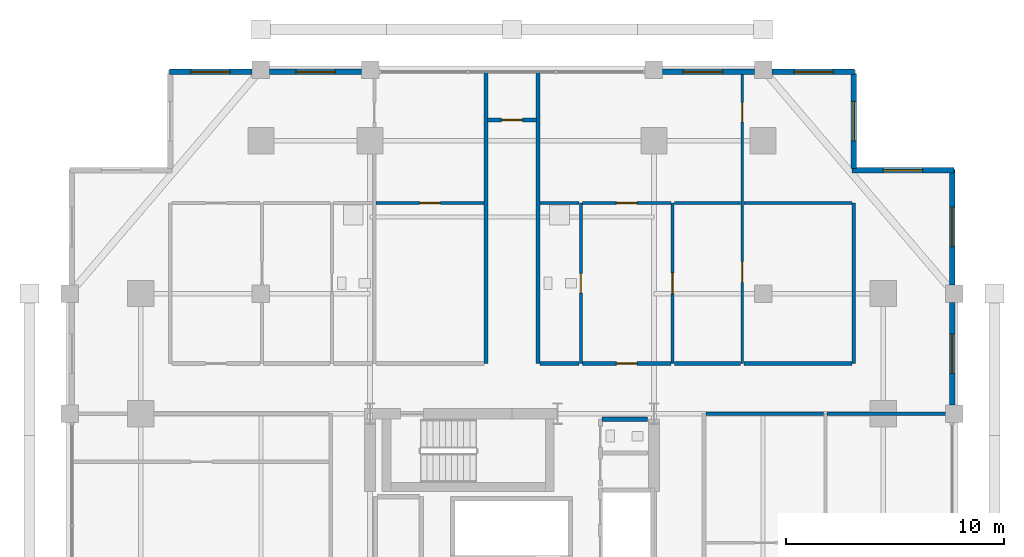
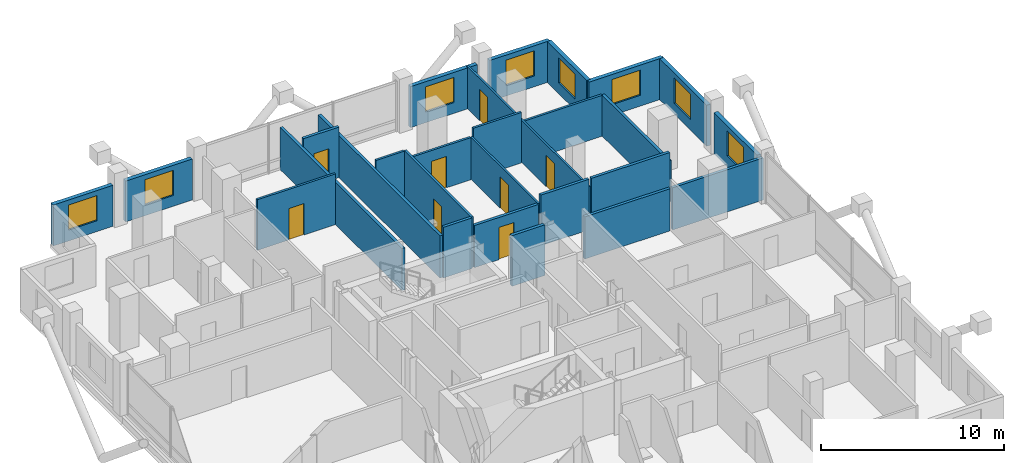
# One storey, part 20 of 23: 27 walls, 8 doors, 8 windows, 16 openings.
"""IFC4 building model written with IfcOpenShell, lengths in metres."""

from ifc_helpers import new_model, si_unit, direction, frame, frame_2d, origin, place, context, subcontext, project, spatial, rectangle, extrude, material, layer, layer_set, type_object, element, fill, save


model = new_model("IFC4")

# Units and contexts
model_context = context("Model", 3, precision=1e-05, world=origin(), true_north=direction((0.0, 1.0)))
body_context = subcontext(model_context, "Body", "Model", "MODEL_VIEW")
ifc_project = project(units=[si_unit("LENGTHUNIT", "METRE"), si_unit("AREAUNIT", "SQUARE_METRE"), si_unit("VOLUMEUNIT", "CUBIC_METRE"), si_unit("PLANEANGLEUNIT", "RADIAN"), si_unit("MASSUNIT", "GRAM", prefix="KILO")], contexts=[model_context])

# Site, building, storey
site_placement = place(None, origin())
site = spatial("IfcSite", under=ifc_project, at=site_placement, CompositionType="ELEMENT")
building_placement = place(site_placement, origin())
building = spatial("IfcBuilding", under=site, at=building_placement, Name="Barlavira Tower and Art Museum", CompositionType="ELEMENT")
storey_placement = place(building_placement, frame((0.0, 0.0, 151.199951171875)))
storey = spatial("IfcBuildingStorey", under=building, at=storey_placement, Name="L38", CompositionType="ELEMENT", Elevation=151.199951171875)

# Wall, opening, door
ifc_material_1 = material(Name="Gypsum acoustic stud partition", Category="gypsum")
ifc_layer_1 = layer(ifc_material_1, 0.1201171875, Name="Gypsum acoustic stud partition")
ifc_layer_set_1 = layer_set([ifc_layer_1], Name="Gypsum acoustic stud partition")
wall_type_1 = type_object("IfcWallType", Name="Apartment Internal Acoustic Partition 120", PredefinedType="PARTITIONING", material=ifc_layer_set_1)
wall_1_placement = place(storey_placement, frame((7.35009765625, 9.800048828125, 0.0), z_axis=(0.0, 0.0, 1.0), x_axis=(0.0, 1.0, 0.0)))
wall_1 = element("IfcWall", 1, at=wall_1_placement, inside=storey, type_object=wall_type_1, Name="L38 Partition Wall 18", PredefinedType="PARTITIONING", context=body_context, shape_type="SweptSolid", body=[
    extrude(rectangle(XDim=7.349853515625, YDim=0.1201171875, at=frame_2d((3.6748046875, 0.0))), origin(), (0.0, 0.0, 1.0), 2.816162109375),
])
opening_1_placement = place(wall_1_placement, frame((3.195068359375, 0.0, 0.0)))
opening_1 = element("IfcOpeningElement", 2, at=opening_1_placement, cuts=wall_1, Name="Opening D-02", PredefinedType="OPENING", context=body_context, shape_type="SweptSolid", body=[
    extrude(rectangle(XDim=0.949951171875, YDim=2.10009765625, at=frame_2d((0.47509765625, 1.050048828125))), frame((0.0, 0.070068359375, 0.0), z_axis=(0.0, -1.0, 0.0), x_axis=(1.0, 0.0, 0.0)), (0.0, 0.0, 1.0), 0.14013671875),
])
ifc_material_2 = material(Name="Engineered coastal hardwood", Category="wood")
door_type_1 = type_object("IfcDoorType", Name="Living and Salon Glazed-Leaf Door 950x2100", OperationType="NOTDEFINED", PredefinedType="DOOR", material=ifc_material_2)
door_1_placement = place(opening_1_placement, origin())
door_1 = element("IfcDoor", 3, at=door_1_placement, inside=storey, type_object=door_type_1, Name="Apartment NE1 Kitchen Door", OperationType="SINGLE_SWING_LEFT", OverallHeight=2.10009765625, OverallWidth=0.949951171875, PredefinedType="DOOR", context=body_context, shape_type="SweptSolid", body=[
    extrude(rectangle(XDim=0.949951171875, YDim=2.10009765625, at=frame_2d((0.47509765625, 1.050048828125))), frame((0.0, 0.02490234375, 0.0), z_axis=(0.0, -1.0, 0.0), x_axis=(1.0, 0.0, 0.0)), (0.0, 0.0, 1.0), 0.050048828125),
])
fill(opening_1, door_1)

# Wall, openings, doors
wall_2_placement = place(storey_placement, frame((10.550048828125, 9.800048828125, 0.0), z_axis=(0.0, 0.0, 1.0), x_axis=(0.0, 1.0, 0.0)))
wall_2 = element("IfcWall", 4, at=wall_2_placement, inside=storey, type_object=wall_type_1, Name="L38 Partition Wall 21", PredefinedType="PARTITIONING", context=body_context, shape_type="SweptSolid", body=[
    extrude(rectangle(XDim=13.349853515625, YDim=0.1201171875, at=frame_2d((6.6748046875, 0.0))), origin(), (0.0, 0.0, 1.0), 2.816162109375),
])
opening_2_placement = place(wall_2_placement, frame((3.71337890625, 0.0, 0.0)))
opening_2 = element("IfcOpeningElement", 5, at=opening_2_placement, cuts=wall_2, Name="Opening D-02", PredefinedType="OPENING", context=body_context, shape_type="SweptSolid", body=[
    extrude(rectangle(XDim=0.949951171875, YDim=2.10009765625, at=frame_2d((0.47509765625, 1.050048828125))), frame((0.0, 0.070068359375, 0.0), z_axis=(0.0, -1.0, 0.0), x_axis=(1.0, 0.0, 0.0)), (0.0, 0.0, 1.0), 0.14013671875),
])
opening_3_placement = place(wall_2_placement, frame((11.051025390625, 0.0, 0.0)))
opening_3 = element("IfcOpeningElement", 6, at=opening_3_placement, cuts=wall_2, Name="Opening D-01", PredefinedType="OPENING", context=body_context, shape_type="SweptSolid", body=[
    extrude(rectangle(XDim=0.89990234375, YDim=2.10009765625, at=frame_2d((0.449951171875, 1.050048828125))), frame((0.0, 0.070068359375, 0.0), z_axis=(0.0, -1.0, 0.0), x_axis=(1.0, 0.0, 0.0)), (0.0, 0.0, 1.0), 0.14013671875),
])
door_type_2 = type_object("IfcDoorType", Name="Internal Bedroom Timber Flush Door 900x2100", OperationType="NOTDEFINED", PredefinedType="DOOR", material=ifc_material_2)
door_2_placement = place(opening_3_placement, origin())
door_2 = element("IfcDoor", 7, at=door_2_placement, inside=storey, type_object=door_type_2, Name="Apartment NE1 Bedroom 1 Door", OperationType="SINGLE_SWING_RIGHT", OverallHeight=2.10009765625, OverallWidth=0.89990234375, PredefinedType="DOOR", context=body_context, shape_type="SweptSolid", body=[
    extrude(rectangle(XDim=0.89990234375, YDim=2.10009765625, at=frame_2d((0.449951171875, 1.050048828125))), frame((0.0, 0.02490234375, 0.0), z_axis=(0.0, -1.0, 0.0), x_axis=(1.0, 0.0, 0.0)), (0.0, 0.0, 1.0), 0.050048828125),
])
fill(opening_3, door_2)
door_3_placement = place(opening_2_placement, origin())
door_3 = element("IfcDoor", 8, at=door_3_placement, inside=storey, type_object=door_type_1, Name="Apartment NE1 Dining Salon Door", OperationType="SINGLE_SWING_RIGHT", OverallHeight=2.10009765625, OverallWidth=0.949951171875, PredefinedType="DOOR", context=body_context, shape_type="SweptSolid", body=[
    extrude(rectangle(XDim=0.949951171875, YDim=2.10009765625, at=frame_2d((0.47509765625, 1.050048828125))), frame((0.0, 0.02490234375, 0.0), z_axis=(0.0, -1.0, 0.0), x_axis=(1.0, 0.0, 0.0)), (0.0, 0.0, 1.0), 0.050048828125),
])
fill(opening_2, door_3)

# Walls
ifc_material_3 = material(Name="Autoclaved aerated concrete masonry", Category="masonry")
ifc_layer_2 = layer(ifc_material_3, 0.199951171875, Name="Autoclaved aerated concrete masonry")
ifc_layer_set_2 = layer_set([ifc_layer_2], Name="Autoclaved aerated concrete masonry")
wall_type_2 = type_object("IfcWallType", Name="Fire Compartment and Shaft Wall 200", PredefinedType="SOLIDWALL", material=ifc_layer_set_2)
wall_3_placement = place(storey_placement, frame((4.1298828125, 7.25, 0.0), z_axis=(0.0, 0.0, 1.0), x_axis=(1.0, 0.0, 0.0)))
element("IfcWall", 9, at=wall_3_placement, inside=storey, type_object=wall_type_2, Name="L38 Partition Wall 50", PredefinedType="SOLIDWALL", context=body_context, shape_type="SweptSolid", body=[
    extrude(rectangle(XDim=2.070068359375, YDim=0.199951171875, at=frame_2d((1.03515625, 0.0))), origin(), (0.0, 0.0, 1.0), 3.380126953125),
])
ifc_layer_3 = layer(ifc_material_1, 0.179931640625, Name="Gypsum acoustic stud partition")
ifc_layer_set_3 = layer_set([ifc_layer_3], Name="Gypsum acoustic stud partition")
wall_type_3 = type_object("IfcWallType", Name="Inter-Tenancy Party Partition Wall 180", PredefinedType="PARTITIONING", material=ifc_layer_set_3)
for number, where, z_axis, x_axis, name in (
    (10, (-1.199951171875, 9.800048828125, 0.0), (0.0, 0.0, 1.0), (0.0, 1.0, 0.0), "L38 Partition Wall 11"),
    (11, (1.199951171875, 9.800048828125, 0.0), (0.0, 0.0, 1.0), (0.0, 1.0, 0.0), "L38 Partition Wall 13"),
):
    element("IfcWall", number, at=place(storey_placement, frame(where, z_axis=z_axis, x_axis=x_axis)), inside=storey, type_object=wall_type_3, Name=name, PredefinedType="PARTITIONING", context=body_context, shape_type="SweptSolid", body=[
        extrude(rectangle(XDim=13.349853515625, YDim=0.179931640625, at=frame_2d((6.6748046875, 0.0))), origin(), (0.0, 0.0, 1.0), 2.816162109375),
    ])
wall_4_placement = place(storey_placement, frame((15.64990234375, 9.800048828125, 0.0), z_axis=(0.0, 0.0, 1.0), x_axis=(0.0, 1.0, 0.0)))
element("IfcWall", 12, at=wall_4_placement, inside=storey, type_object=wall_type_3, Name="L38 Partition Wall 24", PredefinedType="PARTITIONING", context=body_context, shape_type="SweptSolid", body=[
    extrude(rectangle(XDim=7.349853515625, YDim=0.179931640625, at=frame_2d((3.6748046875, 0.0))), origin(), (0.0, 0.0, 1.0), 2.736083984375),
])
wall_5_placement = place(storey_placement, frame((8.8798828125, 7.5, 0.0), z_axis=(0.0, 0.0, 1.0), x_axis=(1.0, 0.0, 0.0)))
element("IfcWall", 13, at=wall_5_placement, inside=storey, type_object=wall_type_3, Name="L38 Partition Wall 52", PredefinedType="PARTITIONING", context=body_context, shape_type="SweptSolid", body=[
    extrude(rectangle(XDim=5.39013671875, YDim=0.179931640625, at=frame_2d((2.695068359375, 0.0))), origin(), (0.0, 0.0, 1.0), 2.816162109375),
])
wall_6_placement = place(storey_placement, frame((14.429931640625, 7.5, 0.0), z_axis=(0.0, 0.0, 1.0), x_axis=(1.0, 0.0, 0.0)))
element("IfcWall", 14, at=wall_6_placement, inside=storey, type_object=wall_type_3, Name="L38 Partition Wall 53", PredefinedType="PARTITIONING", context=body_context, shape_type="SweptSolid", body=[
    extrude(rectangle(XDim=5.719970703125, YDim=0.179931640625, at=frame_2d((2.85986328125, 0.0))), origin(), (0.0, 0.0, 1.0), 2.816162109375),
])
wall_7_placement = place(storey_placement, frame((1.280029296875, 9.800048828125, 0.0), z_axis=(0.0, 0.0, 1.0), x_axis=(1.0, 0.0, 0.0)))
element("IfcWall", 15, at=wall_7_placement, inside=storey, type_object=wall_type_3, Name="L38 Partition Wall 58", PredefinedType="PARTITIONING", context=body_context, shape_type="SweptSolid", body=[
    extrude(rectangle(XDim=1.7900390625, YDim=0.179931640625, at=frame_2d((0.89501953125, 0.0))), origin(), (0.0, 0.0, 1.0), 3.380126953125),
])

# Wall, opening, door
wall_8_placement = place(storey_placement, frame((3.22998046875, 9.800048828125, 0.0), z_axis=(0.0, 0.0, 1.0), x_axis=(1.0, 0.0, 0.0)))
wall_8 = element("IfcWall", 16, at=wall_8_placement, inside=storey, type_object=wall_type_3, Name="L38 Partition Wall 59", PredefinedType="PARTITIONING", context=body_context, shape_type="SweptSolid", body=[
    extrude(rectangle(XDim=4.0400390625, YDim=0.179931640625, at=frame_2d((2.02001953125, 0.0))), origin(), (0.0, 0.0, 1.0), 2.816162109375),
])
opening_4_placement = place(wall_8_placement, frame((1.544921875, 0.0, 0.0)))
opening_4 = element("IfcOpeningElement", 17, at=opening_4_placement, cuts=wall_8, Name="Opening FD-60", PredefinedType="OPENING", context=body_context, shape_type="SweptSolid", body=[
    extrude(rectangle(XDim=0.949951171875, YDim=2.14990234375, at=frame_2d((0.47509765625, 1.074951171875))), frame((0.0, 0.10009765625, 0.0), z_axis=(0.0, -1.0, 0.0), x_axis=(1.0, 0.0, 0.0)), (0.0, 0.0, 1.0), 0.199951171875),
])
ifc_material_4 = material(Name="Brushed stainless steel", Category="steel")
door_type_3 = type_object("IfcDoorType", Name="Apartment Entrance and Riser Fire Door 950x2150 FD60S", OperationType="NOTDEFINED", PredefinedType="DOOR", material=ifc_material_4)
door_4_placement = place(opening_4_placement, origin())
door_4 = element("IfcDoor", 18, at=door_4_placement, inside=storey, type_object=door_type_3, Name="Apartment Entrance Hall NE1 Door", OperationType="SINGLE_SWING_RIGHT", OverallHeight=2.14990234375, OverallWidth=0.949951171875, PredefinedType="DOOR", context=body_context, shape_type="SweptSolid", body=[
    extrude(rectangle(XDim=0.949951171875, YDim=2.14990234375, at=frame_2d((0.47509765625, 1.074951171875))), frame((0.0, 0.02490234375, 0.0), z_axis=(0.0, -1.0, 0.0), x_axis=(1.0, 0.0, 0.0)), (0.0, 0.0, 1.0), 0.050048828125),
])
fill(opening_4, door_4)

# Walls
wall_9_placement = place(storey_placement, frame((7.429931640625, 9.800048828125, 0.0), z_axis=(0.0, 0.0, 1.0), x_axis=(1.0, 0.0, 0.0)))
element("IfcWall", 19, at=wall_9_placement, inside=storey, type_object=wall_type_3, Name="L38 Partition Wall 60", PredefinedType="PARTITIONING", context=body_context, shape_type="SweptSolid", body=[
    extrude(rectangle(XDim=3.0400390625, YDim=0.179931640625, at=frame_2d((1.52001953125, 0.0))), origin(), (0.0, 0.0, 1.0), 3.380126953125),
])
wall_10_placement = place(storey_placement, frame((10.6298828125, 9.800048828125, 0.0), z_axis=(0.0, 0.0, 1.0), x_axis=(1.0, 0.0, 0.0)))
element("IfcWall", 20, at=wall_10_placement, inside=storey, type_object=wall_type_3, Name="L38 Partition Wall 61", PredefinedType="PARTITIONING", context=body_context, shape_type="SweptSolid", body=[
    extrude(rectangle(XDim=4.940185546875, YDim=0.179931640625, at=frame_2d((2.47021484375, 0.0))), origin(), (0.0, 0.0, 1.0), 3.380126953125),
])

# Wall, opening, door
wall_11_placement = place(storey_placement, frame((-1.1201171875, 20.949951171875, 0.0), z_axis=(0.0, 0.0, 1.0), x_axis=(1.0, 0.0, 0.0)))
wall_11 = element("IfcWall", 21, at=wall_11_placement, inside=storey, type_object=wall_type_3, Name="L38 Partition Wall 70", PredefinedType="PARTITIONING", context=body_context, shape_type="SweptSolid", body=[
    extrude(rectangle(XDim=2.240234375, YDim=0.179931640625, at=frame_2d((1.1201171875, 0.0))), origin(), (0.0, 0.0, 1.0), 3.380126953125),
])
opening_5_placement = place(wall_11_placement, frame((0.64501953125, 0.0, 0.0)))
opening_5 = element("IfcOpeningElement", 22, at=opening_5_placement, cuts=wall_11, Name="Opening FD-60", PredefinedType="OPENING", context=body_context, shape_type="SweptSolid", body=[
    extrude(rectangle(XDim=0.949951171875, YDim=2.14990234375, at=frame_2d((0.47509765625, 1.074951171875))), frame((0.0, 0.10009765625, 0.0), z_axis=(0.0, -1.0, 0.0), x_axis=(1.0, 0.0, 0.0)), (0.0, 0.0, 1.0), 0.199951171875),
])
door_5_placement = place(opening_5_placement, origin())
door_5 = element("IfcDoor", 23, at=door_5_placement, inside=storey, type_object=door_type_3, Name="L38 North Ocean Alcove Door", OperationType="SINGLE_SWING_RIGHT", OverallHeight=2.14990234375, OverallWidth=0.949951171875, PredefinedType="DOOR", context=body_context, shape_type="SweptSolid", body=[
    extrude(rectangle(XDim=0.949951171875, YDim=2.14990234375, at=frame_2d((0.47509765625, 1.074951171875))), frame((0.0, 0.02490234375, 0.0), z_axis=(0.0, -1.0, 0.0), x_axis=(1.0, 0.0, 0.0)), (0.0, 0.0, 1.0), 0.050048828125),
])
fill(opening_5, door_5)

ifc_layer_4 = layer(ifc_material_1, 0.139892578125, Name="Gypsum acoustic stud partition")
ifc_layer_set_4 = layer_set([ifc_layer_4], Name="Gypsum acoustic stud partition")
wall_type_4 = type_object("IfcWallType", Name="Moisture-Resistant Bathroom Partition 140", PredefinedType="PARTITIONING", material=ifc_layer_set_4)
wall_12_placement = place(storey_placement, frame((3.14990234375, 9.800048828125, 0.0), z_axis=(0.0, 0.0, 1.0), x_axis=(0.0, 1.0, 0.0)))
wall_12 = element("IfcWall", 24, at=wall_12_placement, inside=storey, type_object=wall_type_4, Name="L38 Partition Wall 15", PredefinedType="PARTITIONING", context=body_context, shape_type="SweptSolid", body=[
    extrude(rectangle(XDim=7.349853515625, YDim=0.139892578125, at=frame_2d((3.6748046875, 0.0))), origin(), (0.0, 0.0, 1.0), 3.380126953125),
])
opening_6_placement = place(wall_12_placement, frame((3.219970703125, 0.0, 0.0)))
opening_6 = element("IfcOpeningElement", 25, at=opening_6_placement, cuts=wall_12, Name="Opening D-WC", PredefinedType="OPENING", context=body_context, shape_type="SweptSolid", body=[
    extrude(rectangle(XDim=0.89990234375, YDim=2.10009765625, at=frame_2d((0.449951171875, 1.050048828125))), frame((0.0, 0.080078125, 0.0), z_axis=(0.0, -1.0, 0.0), x_axis=(1.0, 0.0, 0.0)), (0.0, 0.0, 1.0), 0.159912109375),
])
door_type_4 = type_object("IfcDoorType", Name="Accessible Bathroom Flush Door 900x2100", OperationType="NOTDEFINED", PredefinedType="DOOR", material=ifc_material_2)
door_6_placement = place(opening_6_placement, origin())
door_6 = element("IfcDoor", 26, at=door_6_placement, inside=storey, type_object=door_type_4, Name="Apartment NE1 Hall Bathroom Door", OperationType="SINGLE_SWING_LEFT", OverallHeight=2.10009765625, OverallWidth=0.89990234375, PredefinedType="DOOR", context=body_context, shape_type="SweptSolid", body=[
    extrude(rectangle(XDim=0.89990234375, YDim=2.10009765625, at=frame_2d((0.449951171875, 1.050048828125))), frame((0.0, 0.02490234375, 0.0), z_axis=(0.0, -1.0, 0.0), x_axis=(1.0, 0.0, 0.0)), (0.0, 0.0, 1.0), 0.050048828125),
])
fill(opening_6, door_6)

wall_13_placement = place(storey_placement, frame((-6.219970703125, 17.14990234375, 0.0), z_axis=(0.0, 0.0, 1.0), x_axis=(1.0, 0.0, 0.0)))
wall_13 = element("IfcWall", 27, at=wall_13_placement, inside=storey, type_object=wall_type_4, Name="L38 Partition Wall 65", PredefinedType="PARTITIONING", context=body_context, shape_type="SweptSolid", body=[
    extrude(rectangle(XDim=4.93994140625, YDim=0.139892578125, at=frame_2d((2.469970703125, 0.0))), origin(), (0.0, 0.0, 1.0), 3.380126953125),
])
opening_7_placement = place(wall_13_placement, frame((1.9951171875, 0.0, 0.0)))
opening_7 = element("IfcOpeningElement", 28, at=opening_7_placement, cuts=wall_13, Name="Opening D-02", PredefinedType="OPENING", context=body_context, shape_type="SweptSolid", body=[
    extrude(rectangle(XDim=0.949951171875, YDim=2.10009765625, at=frame_2d((0.47509765625, 1.050048828125))), frame((0.0, 0.080078125, 0.0), z_axis=(0.0, -1.0, 0.0), x_axis=(1.0, 0.0, 0.0)), (0.0, 0.0, 1.0), 0.159912109375),
])
door_7_placement = place(opening_7_placement, origin())
door_7 = element("IfcDoor", 29, at=door_7_placement, inside=storey, type_object=door_type_1, Name="Apartment NW1 Dining Salon Door", OperationType="SINGLE_SWING_RIGHT", OverallHeight=2.10009765625, OverallWidth=0.949951171875, PredefinedType="DOOR", context=body_context, shape_type="SweptSolid", body=[
    extrude(rectangle(XDim=0.949951171875, YDim=2.10009765625, at=frame_2d((0.47509765625, 1.050048828125))), frame((0.0, 0.02490234375, 0.0), z_axis=(0.0, -1.0, 0.0), x_axis=(1.0, 0.0, 0.0)), (0.0, 0.0, 1.0), 0.050048828125),
])
fill(opening_7, door_7)

# Wall
wall_14_placement = place(storey_placement, frame((1.280029296875, 17.14990234375, 0.0), z_axis=(0.0, 0.0, 1.0), x_axis=(1.0, 0.0, 0.0)))
element("IfcWall", 30, at=wall_14_placement, inside=storey, type_object=wall_type_4, Name="L38 Partition Wall 66", PredefinedType="PARTITIONING", context=body_context, shape_type="SweptSolid", body=[
    extrude(rectangle(XDim=1.7900390625, YDim=0.139892578125, at=frame_2d((0.89501953125, 0.0))), origin(), (0.0, 0.0, 1.0), 3.380126953125),
])

# Wall, opening, door
wall_15_placement = place(storey_placement, frame((3.22998046875, 17.14990234375, 0.0), z_axis=(0.0, 0.0, 1.0), x_axis=(1.0, 0.0, 0.0)))
wall_15 = element("IfcWall", 31, at=wall_15_placement, inside=storey, type_object=wall_type_4, Name="L38 Partition Wall 67", PredefinedType="PARTITIONING", context=body_context, shape_type="SweptSolid", body=[
    extrude(rectangle(XDim=4.0400390625, YDim=0.139892578125, at=frame_2d((2.02001953125, 0.0))), origin(), (0.0, 0.0, 1.0), 2.816162109375),
])
opening_8_placement = place(wall_15_placement, frame((1.544921875, 0.0, 0.0)))
opening_8 = element("IfcOpeningElement", 32, at=opening_8_placement, cuts=wall_15, Name="Opening D-02", PredefinedType="OPENING", context=body_context, shape_type="SweptSolid", body=[
    extrude(rectangle(XDim=0.949951171875, YDim=2.10009765625, at=frame_2d((0.47509765625, 1.050048828125))), frame((0.0, 0.080078125, 0.0), z_axis=(0.0, -1.0, 0.0), x_axis=(1.0, 0.0, 0.0)), (0.0, 0.0, 1.0), 0.159912109375),
])
door_8_placement = place(opening_8_placement, origin())
door_8 = element("IfcDoor", 33, at=door_8_placement, inside=storey, type_object=door_type_1, Name="Apartment NE1 Living Lounge Door", OperationType="SINGLE_SWING_LEFT", OverallHeight=2.10009765625, OverallWidth=0.949951171875, PredefinedType="DOOR", context=body_context, shape_type="SweptSolid", body=[
    extrude(rectangle(XDim=0.949951171875, YDim=2.10009765625, at=frame_2d((0.47509765625, 1.050048828125))), frame((0.0, 0.02490234375, 0.0), z_axis=(0.0, -1.0, 0.0), x_axis=(1.0, 0.0, 0.0)), (0.0, 0.0, 1.0), 0.050048828125),
])
fill(opening_8, door_8)

# Walls
wall_16_placement = place(storey_placement, frame((7.429931640625, 17.14990234375, 0.0), z_axis=(0.0, 0.0, 1.0), x_axis=(1.0, 0.0, 0.0)))
element("IfcWall", 34, at=wall_16_placement, inside=storey, type_object=wall_type_4, Name="L38 Partition Wall 68", PredefinedType="PARTITIONING", context=body_context, shape_type="SweptSolid", body=[
    extrude(rectangle(XDim=3.0400390625, YDim=0.139892578125, at=frame_2d((1.52001953125, 0.0))), origin(), (0.0, 0.0, 1.0), 3.380126953125),
])
wall_17_placement = place(storey_placement, frame((10.6298828125, 17.14990234375, 0.0), z_axis=(0.0, 0.0, 1.0), x_axis=(1.0, 0.0, 0.0)))
element("IfcWall", 35, at=wall_17_placement, inside=storey, type_object=wall_type_4, Name="L38 Partition Wall 69", PredefinedType="PARTITIONING", context=body_context, shape_type="SweptSolid", body=[
    extrude(rectangle(XDim=4.940185546875, YDim=0.139892578125, at=frame_2d((2.47021484375, 0.0))), origin(), (0.0, 0.0, 1.0), 2.736083984375),
])

# Wall, opening, window
ifc_material_5 = material(Name="Precast concrete C40", Category="concrete")
ifc_layer_5 = layer(ifc_material_5, 0.25, Name="Precast concrete C40")
ifc_layer_set_5 = layer_set([ifc_layer_5], Name="Precast concrete C40")
wall_type_5 = type_object("IfcWallType", Name="Notched Corner Spandrel Wall 250 Precast Concrete C40", PredefinedType="SOLIDWALL", material=ifc_layer_set_5)
wall_18_placement = place(storey_placement, frame((15.675048828125, 23.14990234375, 0.0), z_axis=(0.0, 0.0, 1.0), x_axis=(-1.0, 0.0, 0.0)))
wall_18 = element("IfcWall", 36, at=wall_18_placement, inside=storey, type_object=wall_type_5, Name="L38 Coastal Facade Pier Wall CW2-L38-N-1", PredefinedType="SOLIDWALL", context=body_context, shape_type="SweptSolid", body=[
    extrude(rectangle(XDim=3.780029296875, YDim=0.25, at=frame_2d((1.89013671875, 0.0))), origin(), (0.0, 0.0, 1.0), 2.736083984375),
])
opening_9_placement = place(wall_18_placement, frame((0.968017578125, 0.0, 0.719970703125)))
opening_9 = element("IfcOpeningElement", 37, at=opening_9_placement, cuts=wall_18, Name="Opening WN-01", PredefinedType="OPENING", context=body_context, shape_type="SweptSolid", body=[
    extrude(rectangle(XDim=1.800048828125, YDim=1.679931640625, at=frame_2d((0.89990234375, 0.83984375))), frame((0.0, 0.135009765625, 0.0), z_axis=(0.0, -1.0, 0.0), x_axis=(1.0, 0.0, 0.0)), (0.0, 0.0, 1.0), 0.27001953125),
])
ifc_material_6 = material(Name="Low-iron coastal laminated glass", Category="glass")
window_type = type_object("IfcWindowType", Name="Recessed Notch Corner Punch Window 1800x1680", PartitioningType="SINGLE_PANEL", PredefinedType="WINDOW", material=ifc_material_6)
window_1_placement = place(opening_9_placement, origin())
window_1 = element("IfcWindow", 38, at=window_1_placement, inside=storey, type_object=window_type, Name="L38 Punched Facade Window EWP-CW2-L38-N-1-1", OverallHeight=1.679931640625, OverallWidth=1.800048828125, PartitioningType="SINGLE_PANEL", PredefinedType="WINDOW", context=body_context, shape_type="SweptSolid", body=[
    extrude(rectangle(XDim=1.800048828125, YDim=1.679931640625, at=frame_2d((0.89990234375, 0.83984375))), frame((0.0, 0.030029296875, 0.0), z_axis=(0.0, -1.0, 0.0), x_axis=(1.0, 0.0, 0.0)), (0.0, 0.0, 1.0), 0.06005859375),
])
fill(opening_9, window_1)

wall_19_placement = place(storey_placement, frame((11.10498046875, 23.14990234375, 0.0), z_axis=(0.0, 0.0, 1.0), x_axis=(-1.0, 0.0, 0.0)))
wall_19 = element("IfcWall", 39, at=wall_19_placement, inside=storey, type_object=wall_type_5, Name="L38 Coastal Facade Pier Wall CW2-L38-N-2", PredefinedType="SOLIDWALL", context=body_context, shape_type="SweptSolid", body=[
    extrude(rectangle(XDim=4.2099609375, YDim=0.25, at=frame_2d((2.10498046875, 0.0))), origin(), (0.0, 0.0, 1.0), 2.736083984375),
])
opening_10_placement = place(wall_19_placement, frame((1.4599609375, 0.0, 0.719970703125)))
opening_10 = element("IfcOpeningElement", 40, at=opening_10_placement, cuts=wall_19, Name="Opening WN-01", PredefinedType="OPENING", context=body_context, shape_type="SweptSolid", body=[
    extrude(rectangle(XDim=1.800048828125, YDim=1.679931640625, at=frame_2d((0.89990234375, 0.83984375))), frame((0.0, 0.135009765625, 0.0), z_axis=(0.0, -1.0, 0.0), x_axis=(1.0, 0.0, 0.0)), (0.0, 0.0, 1.0), 0.27001953125),
])
window_2_placement = place(opening_10_placement, origin())
window_2 = element("IfcWindow", 41, at=window_2_placement, inside=storey, type_object=window_type, Name="L38 Punched Facade Window EWP-CW2-L38-N-2-1", OverallHeight=1.679931640625, OverallWidth=1.800048828125, PartitioningType="SINGLE_PANEL", PredefinedType="WINDOW", context=body_context, shape_type="SweptSolid", body=[
    extrude(rectangle(XDim=1.800048828125, YDim=1.679931640625, at=frame_2d((0.89990234375, 0.83984375))), frame((0.0, 0.030029296875, 0.0), z_axis=(0.0, -1.0, 0.0), x_axis=(1.0, 0.0, 0.0)), (0.0, 0.0, 1.0), 0.06005859375),
])
fill(opening_10, window_2)

wall_20_placement = place(storey_placement, frame((-6.89501953125, 23.14990234375, 0.0), z_axis=(0.0, 0.0, 1.0), x_axis=(-1.0, 0.0, 0.0)))
wall_20 = element("IfcWall", 42, at=wall_20_placement, inside=storey, type_object=wall_type_5, Name="L38 Coastal Facade Pier Wall CW2-L38-N-4", PredefinedType="SOLIDWALL", context=body_context, shape_type="SweptSolid", body=[
    extrude(rectangle(XDim=4.2099609375, YDim=0.25, at=frame_2d((2.10498046875, 0.0))), origin(), (0.0, 0.0, 1.0), 2.736083984375),
])
opening_11_placement = place(wall_20_placement, frame((1.205078125, 0.0, 0.719970703125)))
opening_11 = element("IfcOpeningElement", 43, at=opening_11_placement, cuts=wall_20, Name="Opening WN-01", PredefinedType="OPENING", context=body_context, shape_type="SweptSolid", body=[
    extrude(rectangle(XDim=1.800048828125, YDim=1.679931640625, at=frame_2d((0.89990234375, 0.83984375))), frame((0.0, 0.135009765625, 0.0), z_axis=(0.0, -1.0, 0.0), x_axis=(1.0, 0.0, 0.0)), (0.0, 0.0, 1.0), 0.27001953125),
])
window_3_placement = place(opening_11_placement, origin())
window_3 = element("IfcWindow", 44, at=window_3_placement, inside=storey, type_object=window_type, Name="L38 Punched Facade Window EWP-CW2-L38-N-4-1", OverallHeight=1.679931640625, OverallWidth=1.800048828125, PartitioningType="SINGLE_PANEL", PredefinedType="WINDOW", context=body_context, shape_type="SweptSolid", body=[
    extrude(rectangle(XDim=1.800048828125, YDim=1.679931640625, at=frame_2d((0.89990234375, 0.83984375))), frame((0.0, 0.030029296875, 0.0), z_axis=(0.0, -1.0, 0.0), x_axis=(1.0, 0.0, 0.0)), (0.0, 0.0, 1.0), 0.06005859375),
])
fill(opening_11, window_3)

wall_21_placement = place(storey_placement, frame((-11.89501953125, 23.14990234375, 0.0), z_axis=(0.0, 0.0, 1.0), x_axis=(-1.0, 0.0, 0.0)))
wall_21 = element("IfcWall", 45, at=wall_21_placement, inside=storey, type_object=wall_type_5, Name="L38 Coastal Facade Pier Wall CW2-L38-N-5", PredefinedType="SOLIDWALL", context=body_context, shape_type="SweptSolid", body=[
    extrude(rectangle(XDim=3.780029296875, YDim=0.25, at=frame_2d((1.89013671875, 0.0))), origin(), (0.0, 0.0, 1.0), 2.736083984375),
])
opening_12_placement = place(wall_21_placement, frame((1.012939453125, 0.0, 0.719970703125)))
opening_12 = element("IfcOpeningElement", 46, at=opening_12_placement, cuts=wall_21, Name="Opening WN-01", PredefinedType="OPENING", context=body_context, shape_type="SweptSolid", body=[
    extrude(rectangle(XDim=1.800048828125, YDim=1.679931640625, at=frame_2d((0.89990234375, 0.83984375))), frame((0.0, 0.135009765625, 0.0), z_axis=(0.0, -1.0, 0.0), x_axis=(1.0, 0.0, 0.0)), (0.0, 0.0, 1.0), 0.27001953125),
])
window_4_placement = place(opening_12_placement, origin())
window_4 = element("IfcWindow", 47, at=window_4_placement, inside=storey, type_object=window_type, Name="L38 Punched Facade Window EWP-CW2-L38-N-5-1", OverallHeight=1.679931640625, OverallWidth=1.800048828125, PartitioningType="SINGLE_PANEL", PredefinedType="WINDOW", context=body_context, shape_type="SweptSolid", body=[
    extrude(rectangle(XDim=1.800048828125, YDim=1.679931640625, at=frame_2d((0.89990234375, 0.83984375))), frame((0.0, 0.030029296875, 0.0), z_axis=(0.0, -1.0, 0.0), x_axis=(1.0, 0.0, 0.0)), (0.0, 0.0, 1.0), 0.06005859375),
])
fill(opening_12, window_4)

wall_22_placement = place(storey_placement, frame((20.14990234375, 7.89501953125, 0.0), z_axis=(0.0, 0.0, 1.0), x_axis=(0.0, 1.0, 0.0)))
wall_22 = element("IfcWall", 48, at=wall_22_placement, inside=storey, type_object=wall_type_5, Name="L38 Coastal Facade Pier Wall CW2-L38-E-4", PredefinedType="SOLIDWALL", context=body_context, shape_type="SweptSolid", body=[
    extrude(rectangle(XDim=4.7099609375, YDim=0.25, at=frame_2d((2.35498046875, 0.0))), origin(), (0.0, 0.0, 1.0), 2.736083984375),
])
opening_13_placement = place(wall_22_placement, frame((1.455078125, 0.0, 0.719970703125)))
opening_13 = element("IfcOpeningElement", 49, at=opening_13_placement, cuts=wall_22, Name="Opening WN-01", PredefinedType="OPENING", context=body_context, shape_type="SweptSolid", body=[
    extrude(rectangle(XDim=1.800048828125, YDim=1.679931640625, at=frame_2d((0.89990234375, 0.83984375))), frame((0.0, 0.135009765625, 0.0), z_axis=(0.0, -1.0, 0.0), x_axis=(1.0, 0.0, 0.0)), (0.0, 0.0, 1.0), 0.27001953125),
])
window_5_placement = place(opening_13_placement, origin())
window_5 = element("IfcWindow", 50, at=window_5_placement, inside=storey, type_object=window_type, Name="L38 Punched Facade Window EWP-CW2-L38-E-4-1", OverallHeight=1.679931640625, OverallWidth=1.800048828125, PartitioningType="SINGLE_PANEL", PredefinedType="WINDOW", context=body_context, shape_type="SweptSolid", body=[
    extrude(rectangle(XDim=1.800048828125, YDim=1.679931640625, at=frame_2d((0.89990234375, 0.83984375))), frame((0.0, 0.030029296875, 0.0), z_axis=(0.0, -1.0, 0.0), x_axis=(1.0, 0.0, 0.0)), (0.0, 0.0, 1.0), 0.06005859375),
])
fill(opening_13, window_5)

wall_23_placement = place(storey_placement, frame((20.14990234375, 13.39501953125, 0.0), z_axis=(0.0, 0.0, 1.0), x_axis=(0.0, 1.0, 0.0)))
wall_23 = element("IfcWall", 51, at=wall_23_placement, inside=storey, type_object=wall_type_5, Name="L38 Coastal Facade Pier Wall CW2-L38-E-5", PredefinedType="SOLIDWALL", context=body_context, shape_type="SweptSolid", body=[
    extrude(rectangle(XDim=5.280029296875, YDim=0.25, at=frame_2d((2.64013671875, 0.0))), origin(), (0.0, 0.0, 1.0), 2.736083984375),
])
opening_14_placement = place(wall_23_placement, frame((1.762939453125, 0.0, 0.719970703125)))
opening_14 = element("IfcOpeningElement", 52, at=opening_14_placement, cuts=wall_23, Name="Opening WN-01", PredefinedType="OPENING", context=body_context, shape_type="SweptSolid", body=[
    extrude(rectangle(XDim=1.800048828125, YDim=1.679931640625, at=frame_2d((0.89990234375, 0.83984375))), frame((0.0, 0.135009765625, 0.0), z_axis=(0.0, -1.0, 0.0), x_axis=(1.0, 0.0, 0.0)), (0.0, 0.0, 1.0), 0.27001953125),
])
window_6_placement = place(opening_14_placement, origin())
window_6 = element("IfcWindow", 53, at=window_6_placement, inside=storey, type_object=window_type, Name="L38 Punched Facade Window EWP-CW2-L38-E-5-1", OverallHeight=1.679931640625, OverallWidth=1.800048828125, PartitioningType="SINGLE_PANEL", PredefinedType="WINDOW", context=body_context, shape_type="SweptSolid", body=[
    extrude(rectangle(XDim=1.800048828125, YDim=1.679931640625, at=frame_2d((0.89990234375, 0.83984375))), frame((0.0, 0.030029296875, 0.0), z_axis=(0.0, -1.0, 0.0), x_axis=(1.0, 0.0, 0.0)), (0.0, 0.0, 1.0), 0.06005859375),
])
fill(opening_14, window_6)

wall_24_placement = place(storey_placement, frame((20.22998046875, 18.64990234375, 0.0), z_axis=(0.0, 0.0, 1.0), x_axis=(-1.0, 0.0, 0.0)))
wall_24 = element("IfcWall", 54, at=wall_24_placement, inside=storey, type_object=wall_type_5, Name="L38 Notch Corner Wall NE1", PredefinedType="SOLIDWALL", context=body_context, shape_type="SweptSolid", body=[
    extrude(rectangle(XDim=4.659912109375, YDim=0.25, at=frame_2d((2.330078125, 0.0))), origin(), (0.0, 0.0, 1.0), 2.736083984375),
])
opening_15_placement = place(wall_24_placement, frame((1.429931640625, 0.0, 0.719970703125)))
opening_15 = element("IfcOpeningElement", 55, at=opening_15_placement, cuts=wall_24, Name="Opening WN-01", PredefinedType="OPENING", context=body_context, shape_type="SweptSolid", body=[
    extrude(rectangle(XDim=1.800048828125, YDim=1.679931640625, at=frame_2d((0.89990234375, 0.83984375))), frame((0.0, 0.135009765625, 0.0), z_axis=(0.0, -1.0, 0.0), x_axis=(1.0, 0.0, 0.0)), (0.0, 0.0, 1.0), 0.27001953125),
])
window_7_placement = place(opening_15_placement, origin())
window_7 = element("IfcWindow", 56, at=window_7_placement, inside=storey, type_object=window_type, Name="L38 Punched Facade Window EW-NTC-L38-NE1-1", OverallHeight=1.679931640625, OverallWidth=1.800048828125, PartitioningType="SINGLE_PANEL", PredefinedType="WINDOW", context=body_context, shape_type="SweptSolid", body=[
    extrude(rectangle(XDim=1.800048828125, YDim=1.679931640625, at=frame_2d((0.89990234375, 0.83984375))), frame((0.0, 0.030029296875, 0.0), z_axis=(0.0, -1.0, 0.0), x_axis=(1.0, 0.0, 0.0)), (0.0, 0.0, 1.0), 0.06005859375),
])
fill(opening_15, window_7)

wall_25_placement = place(storey_placement, frame((15.64990234375, 18.72998046875, 0.0), z_axis=(0.0, 0.0, 1.0), x_axis=(0.0, 1.0, 0.0)))
wall_25 = element("IfcWall", 57, at=wall_25_placement, inside=storey, type_object=wall_type_5, Name="L38 Notch Corner Wall NE2", PredefinedType="SOLIDWALL", context=body_context, shape_type="SweptSolid", body=[
    extrude(rectangle(XDim=4.340087890625, YDim=0.25, at=frame_2d((2.169921875, 0.0))), origin(), (0.0, 0.0, 1.0), 2.736083984375),
])
opening_16_placement = place(wall_25_placement, frame((1.27001953125, 0.0, 0.719970703125)))
opening_16 = element("IfcOpeningElement", 58, at=opening_16_placement, cuts=wall_25, Name="Opening WN-01", PredefinedType="OPENING", context=body_context, shape_type="SweptSolid", body=[
    extrude(rectangle(XDim=1.800048828125, YDim=1.679931640625, at=frame_2d((0.89990234375, 0.83984375))), frame((0.0, 0.135009765625, 0.0), z_axis=(0.0, -1.0, 0.0), x_axis=(1.0, 0.0, 0.0)), (0.0, 0.0, 1.0), 0.27001953125),
])
window_8_placement = place(opening_16_placement, origin())
window_8 = element("IfcWindow", 59, at=window_8_placement, inside=storey, type_object=window_type, Name="L38 Punched Facade Window EW-NTC-L38-NE2-1", OverallHeight=1.679931640625, OverallWidth=1.800048828125, PartitioningType="SINGLE_PANEL", PredefinedType="WINDOW", context=body_context, shape_type="SweptSolid", body=[
    extrude(rectangle(XDim=1.800048828125, YDim=1.679931640625, at=frame_2d((0.89990234375, 0.83984375))), frame((0.0, 0.030029296875, 0.0), z_axis=(0.0, -1.0, 0.0), x_axis=(1.0, 0.0, 0.0)), (0.0, 0.0, 1.0), 0.06005859375),
])
fill(opening_16, window_8)

save(model, "model.ifc")
